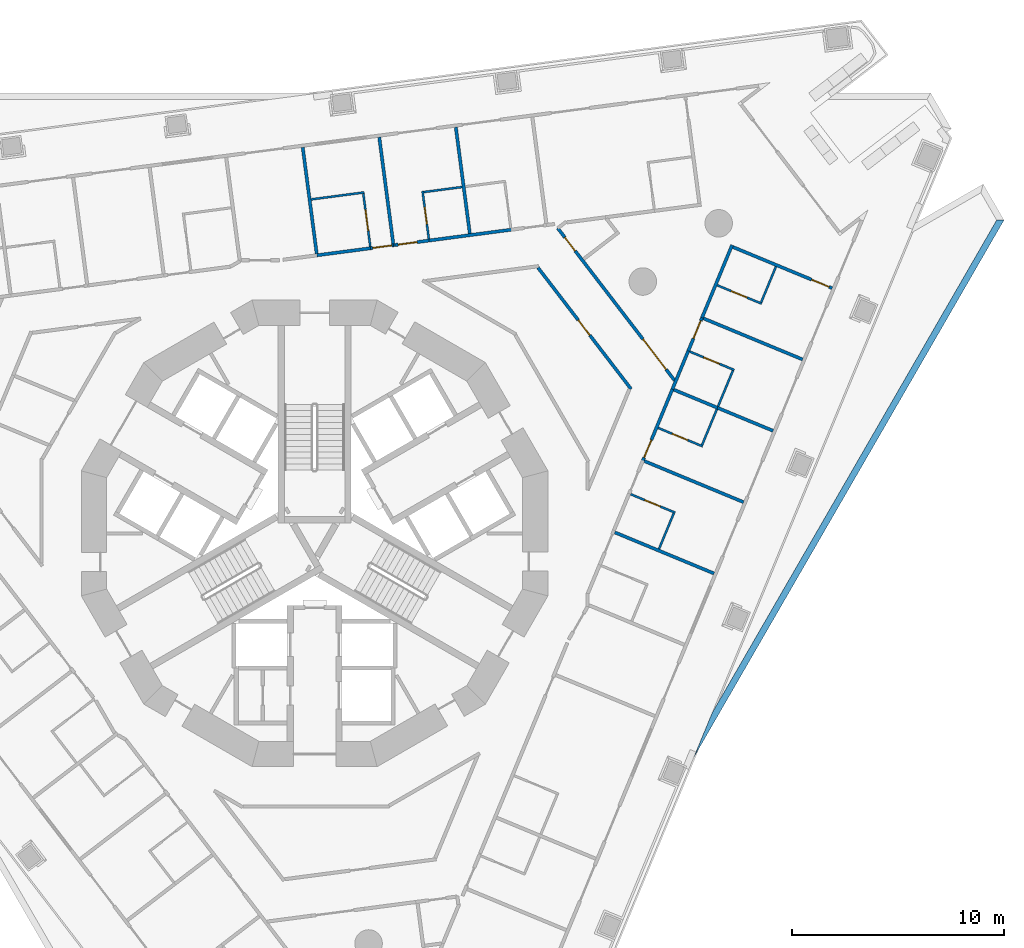
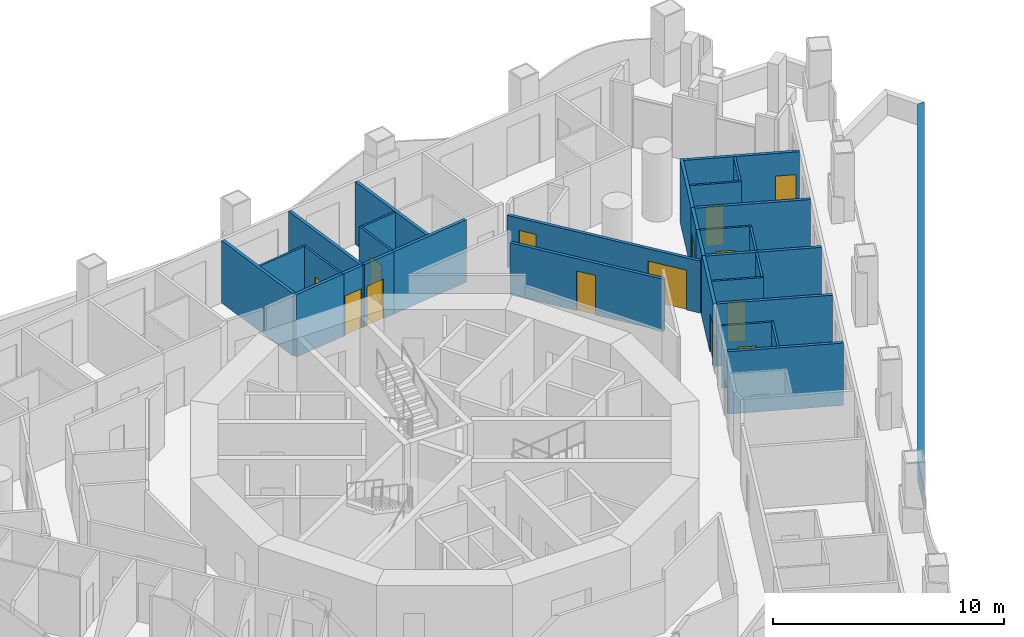
# One storey, part 10 of 20: 32 walls, 14 doors, 14 openings.
"""IFC4 building model written with IfcOpenShell, lengths in metres."""

from ifc_helpers import new_model, si_unit, direction, frame, frame_2d, origin, place, context, subcontext, project, spatial, polyline, rectangle, outline, extrude, material, layer, layer_set, type_object, element, fill, save


model = new_model("IFC4")

# Units and contexts
model_context = context("Model", 3, precision=1e-05, world=origin(), true_north=direction((0.0, 1.0)))
body_context = subcontext(model_context, "Body", "Model", "MODEL_VIEW")
ifc_project = project(units=[si_unit("LENGTHUNIT", "METRE"), si_unit("AREAUNIT", "SQUARE_METRE"), si_unit("VOLUMEUNIT", "CUBIC_METRE"), si_unit("PLANEANGLEUNIT", "RADIAN"), si_unit("MASSUNIT", "GRAM", prefix="KILO")], contexts=[model_context])

# Site, building, storey
site_placement = place(None, origin())
site = spatial("IfcSite", under=ifc_project, at=site_placement, CompositionType="ELEMENT")
building_placement = place(site_placement, origin())
building = spatial("IfcBuilding", under=site, at=building_placement, Name="Trine Commons Tower", CompositionType="ELEMENT")
storey_placement = place(building_placement, frame((0.0, 0.0, 50.39990234375)))
storey = spatial("IfcBuildingStorey", under=building, at=storey_placement, Name="L11", CompositionType="ELEMENT", Elevation=50.39990234375)

# Walls
ifc_material_1 = material(Name="Limestone, honed", Category="masonry")
ifc_layer_1 = layer(ifc_material_1, 0.300048828125)
ifc_layer_set_1 = layer_set([ifc_layer_1], Name="Limestone, honed")
wall_type_1 = type_object("IfcWallType", Name="Stone parapet 300", PredefinedType="PARAPET", material=ifc_layer_set_1)
wall_1_placement = place(storey_placement, origin())
element("IfcWall", 1, at=wall_1_placement, inside=storey, type_object=wall_type_1, Name="Sliver roof parapet L10 6.1", PredefinedType="PARAPET", context=body_context, shape_type="SweptSolid", body=[
    extrude(outline(polyline([(97.885009765625, 51.908447265625), (112.535888671875, 77.28466796875), (112.189453125, 77.28466796875), (98.764404296875, 54.03173828125), (97.885009765625, 51.908447265625)])), origin(), (0.0, 0.0, 1.0), 1.10009765625),
])
ifc_material_2 = material(Name="Gypsum plasterboard on steel stud", Category="steel")
ifc_layer_2 = layer(ifc_material_2, 0.14990234375)
ifc_layer_set_2 = layer_set([ifc_layer_2], Name="Gypsum plasterboard on steel stud")
wall_type_2 = type_object("IfcWallType", Name="Unit and corridor wall 150 mm, EI 60", PredefinedType="PARTITIONING", material=ifc_layer_set_2)
wall_2_placement = place(storey_placement, frame((79.439208984375, 80.71923828125, 0.0), z_axis=(0.0, 0.0, 1.0), x_axis=(0.130505643681, -0.991447566424, 0.0)))
element("IfcWall", 2, at=wall_2_placement, inside=storey, type_object=wall_type_2, Name="Partition 084", PredefinedType="PARTITIONING", context=body_context, shape_type="SweptSolid", body=[
    extrude(rectangle(XDim=5.06396484375, YDim=0.14990234375, at=frame_2d((2.531982421875, 0.0))), origin(), (0.0, 0.0, 1.0), 3.300048828125),
])
wall_3_placement = place(storey_placement, frame((80.10595703125, 75.623046875, 0.0), z_axis=(0.0, 0.0, 1.0), x_axis=(0.991448878041, 0.130495678972, 0.0)))
element("IfcWall", 3, at=wall_3_placement, inside=storey, type_object=wall_type_2, Name="Partition 087", PredefinedType="PARTITIONING", context=body_context, shape_type="SweptSolid", body=[
    extrude(rectangle(XDim=2.60791015625, YDim=0.14990234375, at=frame_2d((1.303955078125, 0.0))), origin(), (0.0, 0.0, 1.0), 3.300048828125),
])

# Wall, opening, door
wall_4_placement = place(storey_placement, frame((82.634033203125, 75.9560546875, 0.0), z_axis=(0.0, 0.0, 1.0), x_axis=(0.99141275319, 0.130769846721, 0.0)))
wall_4 = element("IfcWall", 4, at=wall_4_placement, inside=storey, type_object=wall_type_2, Name="Partition 090", PredefinedType="PARTITIONING", context=body_context, shape_type="SweptSolid", body=[
    extrude(rectangle(XDim=1.1015625, YDim=0.14990234375, at=frame_2d((0.55078125, 0.0))), origin(), (0.0, 0.0, 1.0), 3.300048828125),
])
opening_1_placement = place(wall_4_placement, frame((0.117431640625, 0.0, 0.0)))
opening_1 = element("IfcOpeningElement", 5, at=opening_1_placement, cuts=wall_4, Name="Opening D-2A13", PredefinedType="OPENING", context=body_context, shape_type="SweptSolid", body=[
    extrude(rectangle(XDim=0.89990234375, YDim=2.10009765625, at=frame_2d((0.449951171875, 1.050048828125))), frame((0.0, 0.0849609375, 0.0), z_axis=(0.0, -1.0, 0.0), x_axis=(1.0, 0.0, 0.0)), (0.0, 0.0, 1.0), 0.169921875),
])
ifc_material_3 = material(Name="Timber fire door set", Category="wood")
door_type_1 = type_object("IfcDoorType", Name="Bedroom door 900 x 2100, FD30S", OperationType="NOTDEFINED", PredefinedType="DOOR", material=ifc_material_3)
door_1_placement = place(opening_1_placement, origin())
door_1 = element("IfcDoor", 6, at=door_1_placement, inside=storey, type_object=door_type_1, Name="Door D-2A13", OperationType="SINGLE_SWING_RIGHT", OverallHeight=2.10009765625, OverallWidth=0.89990234375, PredefinedType="DOOR", context=body_context, shape_type="SweptSolid", body=[
    extrude(rectangle(XDim=0.89990234375, YDim=2.10009765625, at=frame_2d((0.449951171875, 1.050048828125))), frame((0.0, 0.02490234375, 0.0), z_axis=(0.0, -1.0, 0.0), x_axis=(1.0, 0.0, 0.0)), (0.0, 0.0, 1.0), 0.050048828125),
])
fill(opening_1, door_1)

# Wall
wall_5_placement = place(storey_placement, frame((83.05126953125, 81.1953125, 0.0), z_axis=(0.0, 0.0, 1.0), x_axis=(0.130492059077, -0.99144935449, 0.0)))
element("IfcWall", 7, at=wall_5_placement, inside=storey, type_object=wall_type_2, Name="Partition 091", PredefinedType="PARTITIONING", context=body_context, shape_type="SweptSolid", body=[
    extrude(rectangle(XDim=5.21435546875, YDim=0.14990234375, at=frame_2d((2.607177734375, 0.0))), origin(), (0.0, 0.0, 1.0), 3.300048828125),
])

# Wall, opening, door
wall_6_placement = place(storey_placement, frame((83.79248046875, 76.10888671875, 0.0), z_axis=(0.0, 0.0, 1.0), x_axis=(0.991466035582, 0.130365257213, 0.0)))
wall_6 = element("IfcWall", 8, at=wall_6_placement, inside=storey, type_object=wall_type_2, Name="Partition 093", PredefinedType="PARTITIONING", context=body_context, shape_type="SweptSolid", body=[
    extrude(rectangle(XDim=1.62744140625, YDim=0.14990234375, at=frame_2d((0.813720703125, 0.0))), origin(), (0.0, 0.0, 1.0), 3.300048828125),
])
opening_2_placement = place(wall_6_placement, frame((0.14990234375, 0.0, 0.0)))
opening_2 = element("IfcOpeningElement", 9, at=opening_2_placement, cuts=wall_6, Name="Opening D-2A14", PredefinedType="OPENING", context=body_context, shape_type="SweptSolid", body=[
    extrude(rectangle(XDim=0.89990234375, YDim=2.10009765625, at=frame_2d((0.449951171875, 1.050048828125))), frame((0.0, 0.0849609375, 0.0), z_axis=(0.0, -1.0, 0.0), x_axis=(1.0, 0.0, 0.0)), (0.0, 0.0, 1.0), 0.169921875),
])
door_2_placement = place(opening_2_placement, origin())
door_2 = element("IfcDoor", 10, at=door_2_placement, inside=storey, type_object=door_type_1, Name="Door D-2A14", OperationType="SINGLE_SWING_LEFT", OverallHeight=2.10009765625, OverallWidth=0.89990234375, PredefinedType="DOOR", context=body_context, shape_type="SweptSolid", body=[
    extrude(rectangle(XDim=0.89990234375, YDim=2.10009765625, at=frame_2d((0.449951171875, 1.050048828125))), frame((0.0, 0.02490234375, 0.0), z_axis=(0.0, -1.0, 0.0), x_axis=(1.0, 0.0, 0.0)), (0.0, 0.0, 1.0), 0.050048828125),
])
fill(opening_2, door_2)

# Walls
wall_7_placement = place(storey_placement, frame((85.348388671875, 76.3134765625, 0.0), z_axis=(0.0, 0.0, 1.0), x_axis=(0.99141734702, 0.130735014545, 0.0)))
element("IfcWall", 11, at=wall_7_placement, inside=storey, type_object=wall_type_2, Name="Partition 105", PredefinedType="PARTITIONING", context=body_context, shape_type="SweptSolid", body=[
    extrude(rectangle(XDim=4.007568359375, YDim=0.14990234375, at=frame_2d((2.00390625, 0.0))), origin(), (0.0, 0.0, 1.0), 3.300048828125),
])
wall_8_placement = place(storey_placement, frame((86.664306640625, 81.67041015625, 0.0), z_axis=(0.0, 0.0, 1.0), x_axis=(0.130524360114, -0.991445102573, 0.0)))
element("IfcWall", 12, at=wall_8_placement, inside=storey, type_object=wall_type_2, Name="Partition 111", PredefinedType="PARTITIONING", context=body_context, shape_type="SweptSolid", body=[
    extrude(rectangle(XDim=5.063232421875, YDim=0.14990234375, at=frame_2d((2.53173828125, 0.0))), origin(), (0.0, 0.0, 1.0), 3.300048828125),
])

# Wall, opening, door
wall_9_placement = place(storey_placement, frame((90.541748046875, 75.04150390625, 0.0), z_axis=(0.0, 0.0, 1.0), x_axis=(0.608724186816, -0.793381915842, 0.0)))
wall_9 = element("IfcWall", 13, at=wall_9_placement, inside=storey, type_object=wall_type_2, Name="Partition 125", PredefinedType="PARTITIONING", context=body_context, shape_type="SweptSolid", body=[
    extrude(rectangle(XDim=7.21484375, YDim=0.14990234375, at=frame_2d((3.607421875, 0.0))), origin(), (0.0, 0.0, 1.0), 2.75),
])
opening_3_placement = place(wall_9_placement, frame((3.119873046875, 0.0, 0.0)))
opening_3 = element("IfcOpeningElement", 14, at=opening_3_placement, cuts=wall_9, Name="Opening D-2A37", PredefinedType="OPENING", context=body_context, shape_type="SweptSolid", body=[
    extrude(rectangle(XDim=0.89990234375, YDim=2.10009765625, at=frame_2d((0.449951171875, 1.050048828125))), frame((0.0, 0.0849609375, 0.0), z_axis=(0.0, -1.0, 0.0), x_axis=(1.0, 0.0, 0.0)), (0.0, 0.0, 1.0), 0.169921875),
])
door_type_2 = type_object("IfcDoorType", Name="Service door 900 x 2100, FD30S", OperationType="NOTDEFINED", PredefinedType="DOOR", material=ifc_material_3)
door_3_placement = place(opening_3_placement, frame((0.89990234375, 0.0, 0.0), z_axis=(0.0, 0.0, 1.0), x_axis=(-1.0, 0.0, 0.0)))
door_3 = element("IfcDoor", 15, at=door_3_placement, inside=storey, type_object=door_type_2, Name="Door D-2A37", OperationType="SINGLE_SWING_RIGHT", OverallHeight=2.10009765625, OverallWidth=0.89990234375, PredefinedType="DOOR", context=body_context, shape_type="SweptSolid", body=[
    extrude(rectangle(XDim=0.89990234375, YDim=2.10009765625, at=frame_2d((0.449951171875, 1.050048828125))), frame((0.0, 0.02490234375, 0.0), z_axis=(0.0, -1.0, 0.0), x_axis=(1.0, 0.0, 0.0)), (0.0, 0.0, 1.0), 0.050048828125),
])
fill(opening_3, door_3)

# Wall, openings, doors
wall_10_placement = place(storey_placement, frame((91.47412109375, 76.906005859375, 0.0), z_axis=(0.0, 0.0, 1.0), x_axis=(0.608691769464, -0.793406787081, 0.0)))
wall_10 = element("IfcWall", 16, at=wall_10_placement, inside=storey, type_object=wall_type_2, Name="Partition 129", PredefinedType="PARTITIONING", context=body_context, shape_type="SweptSolid", body=[
    extrude(rectangle(XDim=9.05908203125, YDim=0.14990234375, at=frame_2d((4.529541015625, 0.0))), origin(), (0.0, 0.0, 1.0), 2.75),
])
opening_4_placement = place(wall_10_placement, frame((6.606201171875, 0.0, 0.0)))
opening_4 = element("IfcOpeningElement", 17, at=opening_4_placement, cuts=wall_10, Name="Opening D-2A01", PredefinedType="OPENING", context=body_context, shape_type="SweptSolid", body=[
    extrude(rectangle(XDim=1.800048828125, YDim=2.10009765625, at=frame_2d((0.89990234375, 1.050048828125))), frame((0.0, 0.0849609375, 0.0), z_axis=(0.0, -1.0, 0.0), x_axis=(1.0, 0.0, 0.0)), (0.0, 0.0, 1.0), 0.169921875),
])
opening_5_placement = place(wall_10_placement, frame((0.553955078125, 0.0, 0.0)))
opening_5 = element("IfcOpeningElement", 18, at=opening_5_placement, cuts=wall_10, Name="Opening D-2A04", PredefinedType="OPENING", context=body_context, shape_type="SweptSolid", body=[
    extrude(rectangle(XDim=0.800048828125, YDim=2.10009765625, at=frame_2d((0.39990234375, 1.050048828125))), frame((0.0, 0.0849609375, 0.0), z_axis=(0.0, -1.0, 0.0), x_axis=(1.0, 0.0, 0.0)), (0.0, 0.0, 1.0), 0.169921875),
])
door_type_3 = type_object("IfcDoorType", Name="Cluster entrance door 1800 x 2100, double leaf, FD30S", OperationType="DOUBLE_DOOR_DOUBLE_SWING", PredefinedType="DOOR", material=ifc_material_3)
door_4_placement = place(opening_4_placement, origin())
door_4 = element("IfcDoor", 19, at=door_4_placement, inside=storey, type_object=door_type_3, Name="Door D-2A01", OperationType="DOUBLE_DOOR_DOUBLE_SWING", OverallHeight=2.10009765625, OverallWidth=1.800048828125, PredefinedType="DOOR", context=body_context, shape_type="SweptSolid", body=[
    extrude(rectangle(XDim=1.800048828125, YDim=2.10009765625, at=frame_2d((0.89990234375, 1.050048828125))), frame((0.0, 0.02490234375, 0.0), z_axis=(0.0, -1.0, 0.0), x_axis=(1.0, 0.0, 0.0)), (0.0, 0.0, 1.0), 0.050048828125),
])
fill(opening_4, door_4)
ifc_material_4 = material(Name="Painted timber", Category="wood")
door_type_4 = type_object("IfcDoorType", Name="Toilet door 800 x 2100, NOT RATED", OperationType="NOTDEFINED", PredefinedType="DOOR", material=ifc_material_4)
door_5_placement = place(opening_5_placement, origin())
door_5 = element("IfcDoor", 20, at=door_5_placement, inside=storey, type_object=door_type_4, Name="Door D-2A04", OperationType="SINGLE_SWING_LEFT", OverallHeight=2.10009765625, OverallWidth=0.800048828125, PredefinedType="DOOR", context=body_context, shape_type="SweptSolid", body=[
    extrude(rectangle(XDim=0.800048828125, YDim=2.10009765625, at=frame_2d((0.39990234375, 1.050048828125))), frame((0.0, 0.02490234375, 0.0), z_axis=(0.0, -1.0, 0.0), x_axis=(1.0, 0.0, 0.0)), (0.0, 0.0, 1.0), 0.050048828125),
])
fill(opening_5, door_5)

# Wall
wall_11_placement = place(storey_placement, frame((94.169189453125, 62.54638671875, 0.0), z_axis=(0.0, 0.0, 1.0), x_axis=(0.923879340067, -0.382683896966, 0.0)))
element("IfcWall", 21, at=wall_11_placement, inside=storey, type_object=wall_type_2, Name="Partition 144", PredefinedType="PARTITIONING", context=body_context, shape_type="SweptSolid", body=[
    extrude(rectangle(XDim=5.064208984375, YDim=0.14990234375, at=frame_2d((2.5322265625, 0.0))), origin(), (0.0, 0.0, 1.0), 3.300048828125),
])

# Wall, opening, door
wall_12_placement = place(storey_placement, frame((95.46435546875, 65.86767578125, 0.0), z_axis=(0.0, 0.0, 1.0), x_axis=(0.382444409481, 0.923978502811, 0.0)))
wall_12 = element("IfcWall", 22, at=wall_12_placement, inside=storey, type_object=wall_type_2, Name="Partition 149", PredefinedType="PARTITIONING", context=body_context, shape_type="SweptSolid", body=[
    extrude(rectangle(XDim=3.802734375, YDim=0.14990234375, at=frame_2d((1.9013671875, 0.0))), origin(), (0.0, 0.0, 1.0), 3.300048828125),
])
opening_6_placement = place(wall_12_placement, frame((0.22900390625, 0.0, 0.0)))
opening_6 = element("IfcOpeningElement", 23, at=opening_6_placement, cuts=wall_12, Name="Opening D-2A19", PredefinedType="OPENING", context=body_context, shape_type="SweptSolid", body=[
    extrude(rectangle(XDim=0.89990234375, YDim=2.10009765625, at=frame_2d((0.449951171875, 1.050048828125))), frame((0.0, 0.0849609375, 0.0), z_axis=(0.0, -1.0, 0.0), x_axis=(1.0, 0.0, 0.0)), (0.0, 0.0, 1.0), 0.169921875),
])
door_6_placement = place(opening_6_placement, frame((0.89990234375, 0.0, 0.0), z_axis=(0.0, 0.0, 1.0), x_axis=(-1.0, 0.0, 0.0)))
door_6 = element("IfcDoor", 24, at=door_6_placement, inside=storey, type_object=door_type_1, Name="Door D-2A19", OperationType="SINGLE_SWING_RIGHT", OverallHeight=2.10009765625, OverallWidth=0.89990234375, PredefinedType="DOOR", context=body_context, shape_type="SweptSolid", body=[
    extrude(rectangle(XDim=0.89990234375, YDim=2.10009765625, at=frame_2d((0.449951171875, 1.050048828125))), frame((0.0, 0.02490234375, 0.0), z_axis=(0.0, -1.0, 0.0), x_axis=(1.0, 0.0, 0.0)), (0.0, 0.0, 1.0), 0.050048828125),
])
fill(opening_6, door_6)

# Walls
wall_13_placement = place(storey_placement, frame((95.563232421875, 65.912353515625, 0.0), z_axis=(0.0, 0.0, 1.0), x_axis=(0.923879340067, -0.382683896966, 0.0)))
element("IfcWall", 25, at=wall_13_placement, inside=storey, type_object=wall_type_2, Name="Partition 150", PredefinedType="PARTITIONING", context=body_context, shape_type="SweptSolid", body=[
    extrude(rectangle(XDim=5.064208984375, YDim=0.14990234375, at=frame_2d((2.5322265625, 0.0))), origin(), (0.0, 0.0, 1.0), 3.300048828125),
])
wall_14_placement = place(storey_placement, frame((96.886962890625, 69.303955078125, 0.0), z_axis=(0.0, 0.0, 1.0), x_axis=(0.382516455335, 0.923948678985, 0.0)))
element("IfcWall", 26, at=wall_14_placement, inside=storey, type_object=wall_type_2, Name="Partition 156", PredefinedType="PARTITIONING", context=body_context, shape_type="SweptSolid", body=[
    extrude(rectangle(XDim=2.0078125, YDim=0.14990234375, at=frame_2d((1.00390625, 0.0))), origin(), (0.0, 0.0, 1.0), 3.300048828125),
])
wall_15_placement = place(storey_placement, frame((96.957275390625, 69.279296875, 0.0), z_axis=(0.0, 0.0, 1.0), x_axis=(0.923750633898, -0.382994473033, 0.0)))
element("IfcWall", 27, at=wall_15_placement, inside=storey, type_object=wall_type_2, Name="Partition 157", PredefinedType="PARTITIONING", context=body_context, shape_type="SweptSolid", body=[
    extrude(rectangle(XDim=2.225341796875, YDim=0.14990234375, at=frame_2d((1.11279296875, 0.0))), origin(), (0.0, 0.0, 1.0), 3.300048828125),
])

# Wall, opening, door
wall_16_placement = place(storey_placement, frame((97.633056640625, 71.10595703125, 0.0), z_axis=(0.0, 0.0, 1.0), x_axis=(0.382868343203, 0.923802918253, 0.0)))
wall_16 = element("IfcWall", 28, at=wall_16_placement, inside=storey, type_object=wall_type_2, Name="Partition 159", PredefinedType="PARTITIONING", context=body_context, shape_type="SweptSolid", body=[
    extrude(rectangle(XDim=1.697509765625, YDim=0.14990234375, at=frame_2d((0.8486328125, 0.0))), origin(), (0.0, 0.0, 1.0), 3.300048828125),
])
opening_7_placement = place(wall_16_placement, frame((0.647216796875, 0.0, 0.0)))
opening_7 = element("IfcOpeningElement", 29, at=opening_7_placement, cuts=wall_16, Name="Opening D-2A18", PredefinedType="OPENING", context=body_context, shape_type="SweptSolid", body=[
    extrude(rectangle(XDim=0.89990234375, YDim=2.10009765625, at=frame_2d((0.449951171875, 1.050048828125))), frame((0.0, 0.0849609375, 0.0), z_axis=(0.0, -1.0, 0.0), x_axis=(1.0, 0.0, 0.0)), (0.0, 0.0, 1.0), 0.169921875),
])
door_7_placement = place(opening_7_placement, frame((0.89990234375, 0.0, 0.0), z_axis=(0.0, 0.0, 1.0), x_axis=(-1.0, 0.0, 0.0)))
door_7 = element("IfcDoor", 30, at=door_7_placement, inside=storey, type_object=door_type_1, Name="Door D-2A18", OperationType="SINGLE_SWING_LEFT", OverallHeight=2.10009765625, OverallWidth=0.89990234375, PredefinedType="DOOR", context=body_context, shape_type="SweptSolid", body=[
    extrude(rectangle(XDim=0.89990234375, YDim=2.10009765625, at=frame_2d((0.449951171875, 1.050048828125))), frame((0.0, 0.02490234375, 0.0), z_axis=(0.0, -1.0, 0.0), x_axis=(1.0, 0.0, 0.0)), (0.0, 0.0, 1.0), 0.050048828125),
])
fill(opening_7, door_7)

# Walls
wall_17_placement = place(storey_placement, frame((98.282958984375, 72.674072265625, 0.0), z_axis=(0.0, 0.0, 1.0), x_axis=(0.382661068861, 0.923888795461, 0.0)))
element("IfcWall", 31, at=wall_17_placement, inside=storey, type_object=wall_type_2, Name="Partition 162", PredefinedType="PARTITIONING", context=body_context, shape_type="SweptSolid", body=[
    extrude(rectangle(XDim=3.71826171875, YDim=0.14990234375, at=frame_2d((1.859130859375, 0.0))), origin(), (0.0, 0.0, 1.0), 3.300048828125),
])
wall_18_placement = place(storey_placement, frame((98.352294921875, 72.645263671875, 0.0), z_axis=(0.0, 0.0, 1.0), x_axis=(0.923879340067, -0.382683896966, 0.0)))
element("IfcWall", 32, at=wall_18_placement, inside=storey, type_object=wall_type_2, Name="Partition 163", PredefinedType="PARTITIONING", context=body_context, shape_type="SweptSolid", body=[
    extrude(rectangle(XDim=5.064208984375, YDim=0.14990234375, at=frame_2d((2.5322265625, 0.0))), origin(), (0.0, 0.0, 1.0), 3.300048828125),
])
wall_19_placement = place(storey_placement, frame((99.012939453125, 68.427001953125, 0.0), z_axis=(0.0, 0.0, 1.0), x_axis=(0.923980158274, -0.382440409889, 0.0)))
element("IfcWall", 33, at=wall_19_placement, inside=storey, type_object=wall_type_2, Name="Partition 166", PredefinedType="PARTITIONING", context=body_context, shape_type="SweptSolid", body=[
    extrude(rectangle(XDim=2.8388671875, YDim=0.14990234375, at=frame_2d((1.41943359375, 0.0))), origin(), (0.0, 0.0, 1.0), 3.300048828125),
])

# Wall, opening, door
wall_20_placement = place(storey_placement, frame((99.746337890625, 76.01123046875, 0.0), z_axis=(0.0, 0.0, 1.0), x_axis=(0.923879340067, -0.382683896966, 0.0)))
wall_20 = element("IfcWall", 34, at=wall_20_placement, inside=storey, type_object=wall_type_2, Name="Partition 167", PredefinedType="PARTITIONING", context=body_context, shape_type="SweptSolid", body=[
    extrude(rectangle(XDim=5.064208984375, YDim=0.14990234375, at=frame_2d((2.5322265625, 0.0))), origin(), (0.0, 0.0, 1.0), 3.300048828125),
])
opening_8_placement = place(wall_20_placement, frame((4.01416015625, 0.0, 0.0)))
opening_8 = element("IfcOpeningElement", 35, at=opening_8_placement, cuts=wall_20, Name="Opening D-2A17", PredefinedType="OPENING", context=body_context, shape_type="SweptSolid", body=[
    extrude(rectangle(XDim=0.89990234375, YDim=2.10009765625, at=frame_2d((0.449951171875, 1.050048828125))), frame((0.0, 0.0849609375, 0.0), z_axis=(0.0, -1.0, 0.0), x_axis=(1.0, 0.0, 0.0)), (0.0, 0.0, 1.0), 0.169921875),
])
door_8_placement = place(opening_8_placement, frame((0.89990234375, 0.0, 0.0), z_axis=(0.0, 0.0, 1.0), x_axis=(-1.0, 0.0, 0.0)))
door_8 = element("IfcDoor", 36, at=door_8_placement, inside=storey, type_object=door_type_1, Name="Door D-2A17", OperationType="SINGLE_SWING_LEFT", OverallHeight=2.10009765625, OverallWidth=0.89990234375, PredefinedType="DOOR", context=body_context, shape_type="SweptSolid", body=[
    extrude(rectangle(XDim=0.89990234375, YDim=2.10009765625, at=frame_2d((0.449951171875, 1.050048828125))), frame((0.0, 0.02490234375, 0.0), z_axis=(0.0, -1.0, 0.0), x_axis=(1.0, 0.0, 0.0)), (0.0, 0.0, 1.0), 0.050048828125),
])
fill(opening_8, door_8)

# Wall
ifc_layer_3 = layer(ifc_material_2, 0.10009765625)
ifc_layer_set_3 = layer_set([ifc_layer_3], Name="Gypsum plasterboard on steel stud")
wall_type_3 = type_object("IfcWallType", Name="Unit partition 100 mm, no rating", PredefinedType="PARTITIONING", material=ifc_layer_set_3)
wall_21_placement = place(storey_placement, frame((79.83837890625, 78.26171875, 0.0), z_axis=(0.0, 0.0, 1.0), x_axis=(0.991430252683, 0.130637108298, 0.0)))
element("IfcWall", 37, at=wall_21_placement, inside=storey, type_object=wall_type_3, Name="Partition 085", PredefinedType="PARTITIONING", context=body_context, shape_type="SweptSolid", body=[
    extrude(rectangle(XDim=2.52490234375, YDim=0.10009765625, at=frame_2d((1.262451171875, 0.0))), origin(), (0.0, 0.0, 1.0), 3.300048828125),
])

# Wall, opening, door
wall_22_placement = place(storey_placement, frame((82.298583984375, 78.535400390625, 0.0), z_axis=(0.0, 0.0, 1.0), x_axis=(0.130504525485, -0.991447713613, 0.0)))
wall_22 = element("IfcWall", 38, at=wall_22_placement, inside=storey, type_object=wall_type_3, Name="Partition 088", PredefinedType="PARTITIONING", context=body_context, shape_type="SweptSolid", body=[
    extrude(rectangle(XDim=2.525390625, YDim=0.10009765625, at=frame_2d((1.2626953125, 0.0))), origin(), (0.0, 0.0, 1.0), 3.300048828125),
])
opening_9_placement = place(wall_22_placement, frame((0.7626953125, 0.0, 0.0)))
opening_9 = element("IfcOpeningElement", 39, at=opening_9_placement, cuts=wall_22, Name="Opening D-2A45", PredefinedType="OPENING", context=body_context, shape_type="SweptSolid", body=[
    extrude(rectangle(XDim=1.0, YDim=2.10009765625, at=frame_2d((0.5, 1.050048828125))), frame((0.0, 0.06005859375, 0.0), z_axis=(0.0, -1.0, 0.0), x_axis=(1.0, 0.0, 0.0)), (0.0, 0.0, 1.0), 0.1201171875),
])
door_type_5 = type_object("IfcDoorType", Name="Internal door 1000 x 2100, NOT RATED", OperationType="NOTDEFINED", PredefinedType="DOOR", material=ifc_material_4)
door_9_placement = place(opening_9_placement, origin())
door_9 = element("IfcDoor", 40, at=door_9_placement, inside=storey, type_object=door_type_5, Name="Door D-2A45", OperationType="SINGLE_SWING_LEFT", OverallHeight=2.10009765625, OverallWidth=1.0, PredefinedType="DOOR", context=body_context, shape_type="SweptSolid", body=[
    extrude(rectangle(XDim=1.0, YDim=2.10009765625, at=frame_2d((0.5, 1.050048828125))), frame((0.0, 0.02490234375, 0.0), z_axis=(0.0, -1.0, 0.0), x_axis=(1.0, 0.0, 0.0)), (0.0, 0.0, 1.0), 0.050048828125),
])
fill(opening_9, door_9)

wall_23_placement = place(storey_placement, frame((85.094482421875, 78.650634765625, 0.0), z_axis=(0.0, 0.0, 1.0), x_axis=(0.13083486939, -0.991404174367, 0.0)))
wall_23 = element("IfcWall", 41, at=wall_23_placement, inside=storey, type_object=wall_type_3, Name="Partition 098", PredefinedType="PARTITIONING", context=body_context, shape_type="SweptSolid", body=[
    extrude(rectangle(XDim=2.274658203125, YDim=0.10009765625, at=frame_2d((1.13720703125, 0.0))), origin(), (0.0, 0.0, 1.0), 3.300048828125),
])
opening_10_placement = place(wall_23_placement, frame((0.762451171875, 0.0, 0.0)))
opening_10 = element("IfcOpeningElement", 42, at=opening_10_placement, cuts=wall_23, Name="Opening D-2A46", PredefinedType="OPENING", context=body_context, shape_type="SweptSolid", body=[
    extrude(rectangle(XDim=0.800048828125, YDim=2.10009765625, at=frame_2d((0.39990234375, 1.050048828125))), frame((0.0, 0.06005859375, 0.0), z_axis=(0.0, -1.0, 0.0), x_axis=(1.0, 0.0, 0.0)), (0.0, 0.0, 1.0), 0.1201171875),
])
door_type_6 = type_object("IfcDoorType", Name="Internal door 800 x 2100, NOT RATED", OperationType="NOTDEFINED", PredefinedType="DOOR", material=ifc_material_4)
door_10_placement = place(opening_10_placement, frame((0.800048828125, 0.0, 0.0), z_axis=(0.0, 0.0, 1.0), x_axis=(-1.0, 0.0, 0.0)))
door_10 = element("IfcDoor", 43, at=door_10_placement, inside=storey, type_object=door_type_6, Name="Door D-2A46", OperationType="SINGLE_SWING_LEFT", OverallHeight=2.10009765625, OverallWidth=0.800048828125, PredefinedType="DOOR", context=body_context, shape_type="SweptSolid", body=[
    extrude(rectangle(XDim=0.800048828125, YDim=2.10009765625, at=frame_2d((0.39990234375, 1.050048828125))), frame((0.0, 0.02490234375, 0.0), z_axis=(0.0, -1.0, 0.0), x_axis=(1.0, 0.0, 0.0)), (0.0, 0.0, 1.0), 0.050048828125),
])
fill(opening_10, door_10)

# Wall
wall_24_placement = place(storey_placement, frame((85.150634765625, 78.607421875, 0.0), z_axis=(0.0, 0.0, 1.0), x_axis=(0.991411458615, 0.130779660983, 0.0)))
element("IfcWall", 44, at=wall_24_placement, inside=storey, type_object=wall_type_3, Name="Partition 099", PredefinedType="PARTITIONING", context=body_context, shape_type="SweptSolid", body=[
    extrude(rectangle(XDim=1.82568359375, YDim=0.10009765625, at=frame_2d((0.912841796875, 0.0))), origin(), (0.0, 0.0, 1.0), 3.300048828125),
])

# Wall, opening, door
wall_25_placement = place(storey_placement, frame((94.915283203125, 64.348388671875, 0.0), z_axis=(0.0, 0.0, 1.0), x_axis=(0.923726372156, -0.383052985085, 0.0)))
wall_25 = element("IfcWall", 45, at=wall_25_placement, inside=storey, type_object=wall_type_3, Name="Partition 147", PredefinedType="PARTITIONING", context=body_context, shape_type="SweptSolid", body=[
    extrude(rectangle(XDim=2.275390625, YDim=0.10009765625, at=frame_2d((1.1376953125, 0.0))), origin(), (0.0, 0.0, 1.0), 3.300048828125),
])
opening_11_placement = place(wall_25_placement, frame((0.712646484375, 0.0, 0.0)))
opening_11 = element("IfcOpeningElement", 46, at=opening_11_placement, cuts=wall_25, Name="Opening D-2A52", PredefinedType="OPENING", context=body_context, shape_type="SweptSolid", body=[
    extrude(rectangle(XDim=0.800048828125, YDim=2.10009765625, at=frame_2d((0.39990234375, 1.050048828125))), frame((0.0, 0.06005859375, 0.0), z_axis=(0.0, -1.0, 0.0), x_axis=(1.0, 0.0, 0.0)), (0.0, 0.0, 1.0), 0.1201171875),
])
door_11_placement = place(opening_11_placement, origin())
door_11 = element("IfcDoor", 47, at=door_11_placement, inside=storey, type_object=door_type_6, Name="Door D-2A52", OperationType="SINGLE_SWING_LEFT", OverallHeight=2.10009765625, OverallWidth=0.800048828125, PredefinedType="DOOR", context=body_context, shape_type="SweptSolid", body=[
    extrude(rectangle(XDim=0.800048828125, YDim=2.10009765625, at=frame_2d((0.39990234375, 1.050048828125))), frame((0.0, 0.02490234375, 0.0), z_axis=(0.0, -1.0, 0.0), x_axis=(1.0, 0.0, 0.0)), (0.0, 0.0, 1.0), 0.050048828125),
])
fill(opening_11, door_11)

wall_26_placement = place(storey_placement, frame((96.211181640625, 67.477294921875, 0.0), z_axis=(0.0, 0.0, 1.0), x_axis=(0.923931833824, -0.382557141415, 0.0)))
wall_26 = element("IfcWall", 48, at=wall_26_placement, inside=storey, type_object=wall_type_3, Name="Partition 154", PredefinedType="PARTITIONING", context=body_context, shape_type="SweptSolid", body=[
    extrude(rectangle(XDim=2.275146484375, YDim=0.10009765625, at=frame_2d((1.1376953125, 0.0))), origin(), (0.0, 0.0, 1.0), 3.300048828125),
])
opening_12_placement = place(wall_26_placement, frame((0.71240234375, 0.0, 0.0)))
opening_12 = element("IfcOpeningElement", 49, at=opening_12_placement, cuts=wall_26, Name="Opening D-2A51", PredefinedType="OPENING", context=body_context, shape_type="SweptSolid", body=[
    extrude(rectangle(XDim=0.800048828125, YDim=2.10009765625, at=frame_2d((0.39990234375, 1.050048828125))), frame((0.0, 0.06005859375, 0.0), z_axis=(0.0, -1.0, 0.0), x_axis=(1.0, 0.0, 0.0)), (0.0, 0.0, 1.0), 0.1201171875),
])
door_12_placement = place(opening_12_placement, frame((0.800048828125, 0.0, 0.0), z_axis=(0.0, 0.0, 1.0), x_axis=(-1.0, 0.0, 0.0)))
door_12 = element("IfcDoor", 50, at=door_12_placement, inside=storey, type_object=door_type_6, Name="Door D-2A51", OperationType="SINGLE_SWING_RIGHT", OverallHeight=2.10009765625, OverallWidth=0.800048828125, PredefinedType="DOOR", context=body_context, shape_type="SweptSolid", body=[
    extrude(rectangle(XDim=0.800048828125, YDim=2.10009765625, at=frame_2d((0.39990234375, 1.050048828125))), frame((0.0, 0.02490234375, 0.0), z_axis=(0.0, -1.0, 0.0), x_axis=(1.0, 0.0, 0.0)), (0.0, 0.0, 1.0), 0.050048828125),
])
fill(opening_12, door_12)

# Wall
wall_27_placement = place(storey_placement, frame((96.253662109375, 61.764404296875, 0.0), z_axis=(0.0, 0.0, 1.0), x_axis=(0.382761541363, 0.923847174836, 0.0)))
element("IfcWall", 51, at=wall_27_placement, inside=storey, type_object=wall_type_3, Name="Partition 155", PredefinedType="PARTITIONING", context=body_context, shape_type="SweptSolid", body=[
    extrude(rectangle(XDim=1.82421875, YDim=0.10009765625, at=frame_2d((0.912109375, 0.0))), origin(), (0.0, 0.0, 1.0), 3.300048828125),
])

# Wall, opening, door
wall_28_placement = place(storey_placement, frame((97.704345703125, 71.080322265625, 0.0), z_axis=(0.0, 0.0, 1.0), x_axis=(0.923916126796, -0.382595073996, 0.0)))
wall_28 = element("IfcWall", 52, at=wall_28_placement, inside=storey, type_object=wall_type_3, Name="Partition 160", PredefinedType="PARTITIONING", context=body_context, shape_type="SweptSolid", body=[
    extrude(rectangle(XDim=2.27490234375, YDim=0.10009765625, at=frame_2d((1.137451171875, 0.0))), origin(), (0.0, 0.0, 1.0), 3.300048828125),
])
opening_13_placement = place(wall_28_placement, frame((0.71240234375, 0.0, 0.0)))
opening_13 = element("IfcOpeningElement", 53, at=opening_13_placement, cuts=wall_28, Name="Opening D-2A50", PredefinedType="OPENING", context=body_context, shape_type="SweptSolid", body=[
    extrude(rectangle(XDim=0.800048828125, YDim=2.10009765625, at=frame_2d((0.39990234375, 1.050048828125))), frame((0.0, 0.06005859375, 0.0), z_axis=(0.0, -1.0, 0.0), x_axis=(1.0, 0.0, 0.0)), (0.0, 0.0, 1.0), 0.1201171875),
])
door_13_placement = place(opening_13_placement, origin())
door_13 = element("IfcDoor", 54, at=door_13_placement, inside=storey, type_object=door_type_6, Name="Door D-2A50", OperationType="SINGLE_SWING_LEFT", OverallHeight=2.10009765625, OverallWidth=0.800048828125, PredefinedType="DOOR", context=body_context, shape_type="SweptSolid", body=[
    extrude(rectangle(XDim=0.800048828125, YDim=2.10009765625, at=frame_2d((0.39990234375, 1.050048828125))), frame((0.0, 0.02490234375, 0.0), z_axis=(0.0, -1.0, 0.0), x_axis=(1.0, 0.0, 0.0)), (0.0, 0.0, 1.0), 0.050048828125),
])
fill(opening_13, door_13)

# Wall
wall_29_placement = place(storey_placement, frame((98.2861328125, 66.672119140625, 0.0), z_axis=(0.0, 0.0, 1.0), x_axis=(0.382714221705, 0.923866778548, 0.0)))
element("IfcWall", 55, at=wall_29_placement, inside=storey, type_object=wall_type_3, Name="Partition 161", PredefinedType="PARTITIONING", context=body_context, shape_type="SweptSolid", body=[
    extrude(rectangle(XDim=1.824462890625, YDim=0.10009765625, at=frame_2d((0.912109375, 0.0))), origin(), (0.0, 0.0, 1.0), 3.300048828125),
])

# Wall, opening, door
wall_30_placement = place(storey_placement, frame((99.000244140625, 74.210205078125, 0.0), z_axis=(0.0, 0.0, 1.0), x_axis=(0.92378006954, -0.382923469012, 0.0)))
wall_30 = element("IfcWall", 56, at=wall_30_placement, inside=storey, type_object=wall_type_3, Name="Partition 164", PredefinedType="PARTITIONING", context=body_context, shape_type="SweptSolid", body=[
    extrude(rectangle(XDim=2.275390625, YDim=0.10009765625, at=frame_2d((1.1376953125, 0.0))), origin(), (0.0, 0.0, 1.0), 3.300048828125),
])
opening_14_placement = place(wall_30_placement, frame((0.712646484375, 0.0, 0.0)))
opening_14 = element("IfcOpeningElement", 57, at=opening_14_placement, cuts=wall_30, Name="Opening D-2A49", PredefinedType="OPENING", context=body_context, shape_type="SweptSolid", body=[
    extrude(rectangle(XDim=0.800048828125, YDim=2.10009765625, at=frame_2d((0.39990234375, 1.050048828125))), frame((0.0, 0.06005859375, 0.0), z_axis=(0.0, -1.0, 0.0), x_axis=(1.0, 0.0, 0.0)), (0.0, 0.0, 1.0), 0.1201171875),
])
door_14_placement = place(opening_14_placement, frame((0.800048828125, 0.0, 0.0), z_axis=(0.0, 0.0, 1.0), x_axis=(-1.0, 0.0, 0.0)))
door_14 = element("IfcDoor", 58, at=door_14_placement, inside=storey, type_object=door_type_6, Name="Door D-2A49", OperationType="SINGLE_SWING_RIGHT", OverallHeight=2.10009765625, OverallWidth=0.800048828125, PredefinedType="DOOR", context=body_context, shape_type="SweptSolid", body=[
    extrude(rectangle(XDim=0.800048828125, YDim=2.10009765625, at=frame_2d((0.39990234375, 1.050048828125))), frame((0.0, 0.02490234375, 0.0), z_axis=(0.0, -1.0, 0.0), x_axis=(1.0, 0.0, 0.0)), (0.0, 0.0, 1.0), 0.050048828125),
])
fill(opening_14, door_14)

# Walls
wall_31_placement = place(storey_placement, frame((99.041748046875, 68.496337890625, 0.0), z_axis=(0.0, 0.0, 1.0), x_axis=(0.382981625731, 0.923755960388, 0.0)))
element("IfcWall", 59, at=wall_31_placement, inside=storey, type_object=wall_type_3, Name="Partition 165", PredefinedType="PARTITIONING", context=body_context, shape_type="SweptSolid", body=[
    extrude(rectangle(XDim=1.82568359375, YDim=0.10009765625, at=frame_2d((0.912841796875, 0.0))), origin(), (0.0, 0.0, 1.0), 3.300048828125),
])
wall_32_placement = place(storey_placement, frame((101.0751953125, 73.404296875, 0.0), z_axis=(0.0, 0.0, 1.0), x_axis=(0.382410862233, 0.923992387656, 0.0)))
element("IfcWall", 60, at=wall_32_placement, inside=storey, type_object=wall_type_3, Name="Partition 168", PredefinedType="PARTITIONING", context=body_context, shape_type="SweptSolid", body=[
    extrude(rectangle(XDim=1.8251953125, YDim=0.10009765625, at=frame_2d((0.91259765625, 0.0))), origin(), (0.0, 0.0, 1.0), 3.300048828125),
])

save(model, "model.ifc")
